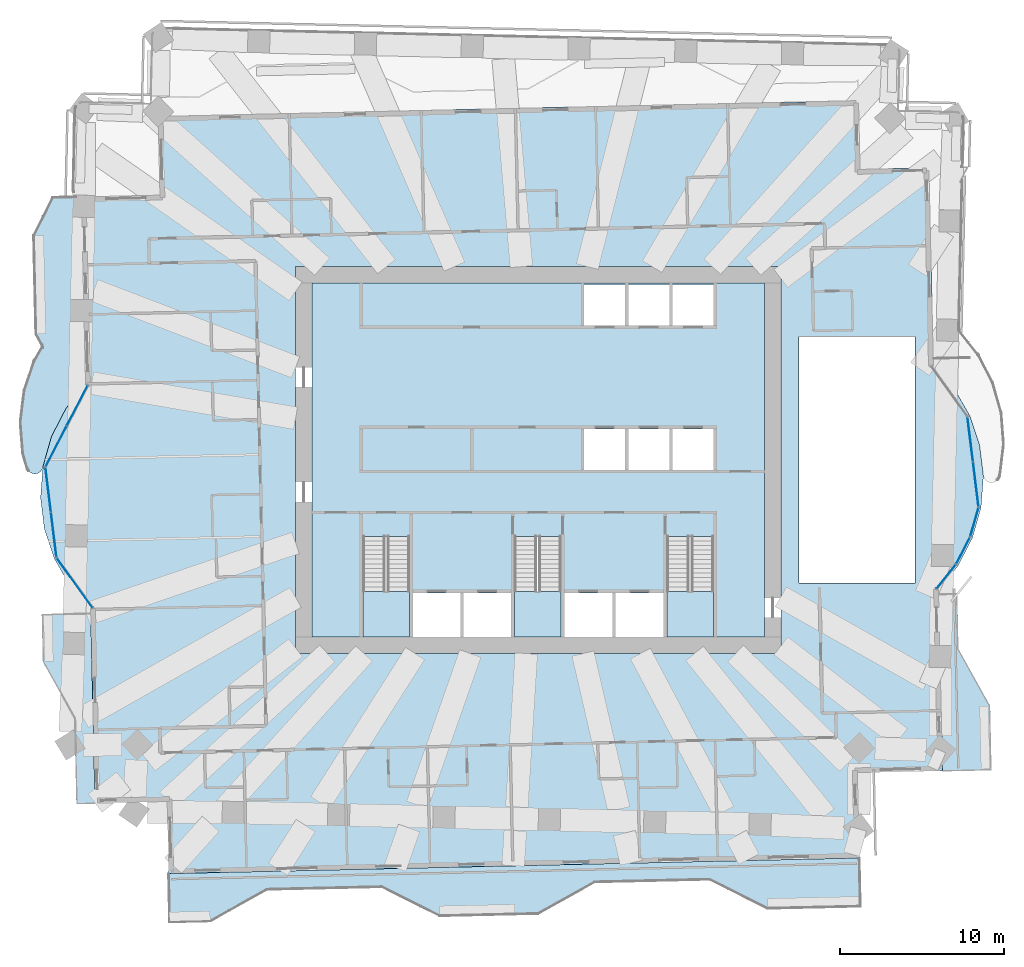
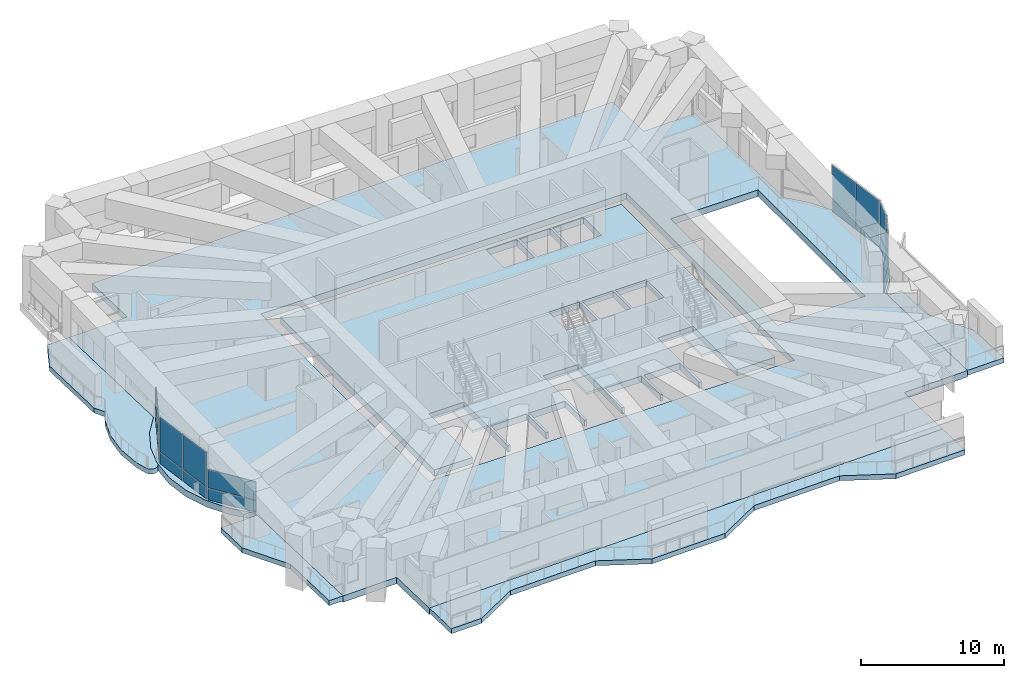
# One storey, part 8 of 21: 20 plates, 9 slabs, 10 elements without a shape of their own.
"""IFC4 building model written with IfcOpenShell, lengths in metres."""

from ifc_helpers import new_model, si_unit, direction, frame, origin, origin_2d, place, context, subcontext, project, spatial, polyline, rectangle, outline, extrude, material, layer, layer_set, type_object, element, aggregate, save


model = new_model("IFC4")

# Units and contexts
model_context = context("Model", 3, precision=1e-05, world=origin(), true_north=direction((0.0, 1.0)))
body_context = subcontext(model_context, "Body", "Model", "MODEL_VIEW")
ifc_project = project(units=[si_unit("LENGTHUNIT", "METRE"), si_unit("AREAUNIT", "SQUARE_METRE"), si_unit("VOLUMEUNIT", "CUBIC_METRE"), si_unit("PLANEANGLEUNIT", "RADIAN"), si_unit("MASSUNIT", "GRAM", prefix="KILO")], contexts=[model_context])

# Site, building, storey
site_placement = place(None, origin())
site = spatial("IfcSite", under=ifc_project, at=site_placement, CompositionType="ELEMENT")
building_placement = place(site_placement, origin())
building = spatial("IfcBuilding", under=site, at=building_placement, Name="Mangrove Gate Tower", CompositionType="ELEMENT")
storey_placement = place(building_placement, frame((0.0, 0.0, 125.5)))
storey = spatial("IfcBuildingStorey", under=building, at=storey_placement, Name="L31", CompositionType="ELEMENT", Elevation=125.5)

# Slabs
ifc_material_1 = material(Name="Porcelain tile")
ifc_layer_1 = layer(ifc_material_1, 0.02001953125, Name="Tile finish")
ifc_material_2 = material(Name="Cement sand screed")
ifc_layer_2 = layer(ifc_material_2, 0.0400390625, Name="Screed laid to falls")
ifc_material_3 = material(Name="Bituminous waterproofing membrane")
ifc_layer_3 = layer(ifc_material_3, 0.00390625, Name="Waterproofing")
ifc_material_4 = material(Name="Concrete C40/50", Category="concrete")
ifc_layer_4 = layer(ifc_material_4, 0.340087890625, Name="Balcony structural slab")
ifc_material_5 = material(Name="Limestone", Category="masonry")
ifc_layer_5 = layer(ifc_material_5, 0.01611328125, Name="Soffit lining")
ifc_layer_set_1 = layer_set([ifc_layer_1, ifc_layer_2, ifc_layer_3, ifc_layer_4, ifc_layer_5], Name="Balcony slab 420 C40/50")
slab_type_1 = type_object("IfcSlabType", Name="Balcony slab 420 C40/50", PredefinedType="FLOOR", material=ifc_layer_set_1)
slab_1_placement = place(storey_placement, frame((0.0, 0.0, -0.419921875)))
element("IfcSlab", 1, at=slab_1_placement, inside=storey, type_object=slab_type_1, Name="BALCONY L31 E0", PredefinedType="FLOOR", context=body_context, shape_type="SweptSolid", body=[
    extrude(outline(polyline([(27.660888671875, -18.89111328125), (27.572021484375, -14.991943359375), (25.64306640625, -11.533935546875), (25.56689453125, -8.160888671875), (24.427001953125, -8.18701171875), (24.50390625, -11.56005859375), (24.5830078125, -15.05908203125), (24.6708984375, -18.9580078125), (27.660888671875, -18.89111328125)])), origin(), (0.0, 0.0, 1.0), 0.419921875),
])
slab_2_placement = place(storey_placement, frame((0.0, 0.0, -0.419921875)))
element("IfcSlab", 2, at=slab_2_placement, inside=storey, type_object=slab_type_1, Name="BALCONY L31 W0", PredefinedType="FLOOR", context=body_context, shape_type="SweptSolid", body=[
    extrude(outline(polyline([(-30.680908203125, 7.693115234375), (-30.2490234375, 6.91796875), (-30.2470703125, 6.912109375), (-30.2490234375, 6.906982421875), (-30.2529296875, 6.903076171875), (-30.258056640625, 6.902099609375), (-30.262939453125, 6.903076171875), (-30.73193359375, 6.0869140625), (-30.7548828125, 6.0419921875), (-30.77294921875, 5.99609375), (-31.346923828125, 4.277099609375), (-31.360107421875, 4.22802734375), (-31.368896484375, 4.178955078125), (-31.590087890625, 2.381103515625), (-31.593994140625, 2.330078125), (-31.592041015625, 2.281005859375), (-31.452880859375, 0.47412109375), (-31.446044921875, 0.424072265625), (-31.43505859375, 0.375), (-31.194091796875, -0.472900390625), (-31.177978515625, -0.52001953125), (-31.157958984375, -0.56494140625), (-31.134033203125, -0.60693359375), (-31.10595703125, -0.64599609375), (-31.072998046875, -0.68408203125), (-31.0380859375, -0.717041015625), (-31.0, -0.7470703125), (-30.9580078125, -0.77294921875), (-30.9140625, -0.794921875), (-30.868896484375, -0.81201171875), (-30.822021484375, -0.824951171875), (-30.77392578125, -0.8330078125), (-30.72412109375, -0.8369140625), (-30.676025390625, -0.8359375), (-30.6279296875, -0.830078125), (-30.580078125, -0.819091796875), (-30.532958984375, -0.802978515625), (-30.488037109375, -0.783935546875), (-30.446044921875, -0.760009765625), (-30.406005859375, -0.73095703125), (-30.368896484375, -0.698974609375), (-30.3349609375, -0.6640625), (-30.304931640625, -0.6259765625), (-30.279052734375, -0.583984375), (-30.257080078125, -0.541015625), (-30.239013671875, -0.4951171875), (-30.22607421875, -0.447998046875), (-30.214111328125, -0.383056640625), (-29.694091796875, 1.444091796875), (-28.822998046875, 3.133056640625), (-28.81005859375, 3.154052734375), (-27.735107421875, 4.4951171875), (-27.7060546875, 4.534912109375), (-27.680908203125, 4.577880859375), (-27.659912109375, 4.623046875), (-27.64404296875, 4.669921875), (-27.633056640625, 4.719970703125), (-27.626953125, 4.76904296875), (-27.625, 4.819091796875), (-27.626953125, 4.866943359375), (-27.632080078125, 4.87109375), (-27.633056640625, 4.876953125), (-27.632080078125, 4.883056640625), (-27.626953125, 4.886962890625), (-27.881103515625, 16.05810546875), (-29.654052734375, 16.01806640625), (-30.818115234375, 13.69091796875), (-30.680908203125, 7.693115234375)])), origin(), (0.0, 0.0, 1.0), 0.419921875),
])
slab_3_placement = place(storey_placement, frame((0.0, 0.0, -0.419921875)))
element("IfcSlab", 3, at=slab_3_placement, inside=storey, type_object=slab_type_1, Name="BALCONY L31 W1", PredefinedType="FLOOR", context=body_context, shape_type="SweptSolid", body=[
    extrude(outline(polyline([(-30.29296875, -9.427978515625), (-30.22802734375, -12.302001953125), (-28.299072265625, -15.759033203125), (-28.180908203125, -20.9580078125), (-27.041015625, -20.931884765625), (-27.158935546875, -15.73291015625), (-27.238037109375, -12.23388671875), (-27.303955078125, -9.360107421875), (-30.29296875, -9.427978515625)])), origin(), (0.0, 0.0, 1.0), 0.419921875),
])
slab_4_placement = place(storey_placement, frame((0.0, 0.0, -0.419921875)))
element("IfcSlab", 4, at=slab_4_placement, inside=storey, type_object=slab_type_1, Name="BALCONY L31 S0", PredefinedType="FLOOR", context=body_context, shape_type="SweptSolid", body=[
    extrude(outline(polyline([(-22.47509765625, -28.219970703125), (-20.0029296875, -28.1640625), (-16.5458984375, -26.235107421875), (-9.548095703125, -26.076904296875), (-6.007080078125, -27.846923828125), (-1.407958984375, -27.741943359375), (-0.008056640625, -27.7109375), (3.448974609375, -25.781982421875), (10.447021484375, -25.6240234375), (13.988037109375, -27.39306640625), (19.658935546875, -27.263916015625), (19.591064453125, -24.27490234375), (-22.5419921875, -25.23095703125), (-22.47509765625, -28.219970703125)])), origin(), (0.0, 0.0, 1.0), 0.419921875),
])
ifc_material_6 = material(Name="Concrete C40/50", Category="concrete")
ifc_layer_6 = layer(ifc_material_6, 0.550048828125)
ifc_layer_set_2 = layer_set([ifc_layer_6], Name="Core floor slab 550 C40/50")
slab_type_2 = type_object("IfcSlabType", Name="Core floor slab 550 C40/50", PredefinedType="FLOOR", material=ifc_layer_set_2)
slab_5_placement = place(storey_placement, frame((0.0, 0.0, -0.550048828125)))
element("IfcSlab", 5, at=slab_5_placement, inside=storey, type_object=slab_type_2, Name="SLAB-L31-CORE-1", PredefinedType="FLOOR", context=body_context, shape_type="SweptSolid", body=[
    extrude(outline(polyline([(-13.800048828125, -10.800048828125), (-13.800048828125, 10.800048828125), (13.800048828125, 10.800048828125), (13.800048828125, -10.800048828125), (10.699951171875, -10.800048828125), (10.699951171875, -4.653076171875), (7.85009765625, -4.653076171875), (7.85009765625, -10.800048828125), (7.64990234375, -10.800048828125), (7.64990234375, -8.10009765625), (4.72509765625, -8.10009765625), (4.72509765625, -10.800048828125), (4.52490234375, -10.800048828125), (4.52490234375, -8.10009765625), (1.60009765625, -8.10009765625), (1.60009765625, -10.800048828125), (1.39990234375, -10.800048828125), (1.39990234375, -4.653076171875), (-1.449951171875, -4.653076171875), (-1.449951171875, -10.800048828125), (-1.64990234375, -10.800048828125), (-1.64990234375, -8.10009765625), (-4.550048828125, -8.10009765625), (-4.550048828125, -10.800048828125), (-4.75, -10.800048828125), (-4.75, -8.10009765625), (-7.64990234375, -8.10009765625), (-7.64990234375, -10.800048828125), (-7.85009765625, -10.800048828125), (-7.85009765625, -4.653076171875), (-10.699951171875, -4.653076171875), (-10.699951171875, -10.800048828125), (-13.800048828125, -10.800048828125)]), holes=[polyline([(5.300048828125, -0.60009765625), (5.300048828125, 1.89990234375), (2.800048828125, 1.89990234375), (2.800048828125, -0.60009765625), (5.300048828125, -0.60009765625)]), polyline([(5.300048828125, 10.699951171875), (2.800048828125, 10.699951171875), (2.800048828125, 8.199951171875), (5.300048828125, 8.199951171875), (5.300048828125, 10.699951171875)]), polyline([(8.0, -0.60009765625), (8.0, 1.89990234375), (5.5, 1.89990234375), (5.5, -0.60009765625), (8.0, -0.60009765625)]), polyline([(10.699951171875, -0.60009765625), (10.699951171875, 1.89990234375), (8.199951171875, 1.89990234375), (8.199951171875, -0.60009765625), (10.699951171875, -0.60009765625)]), polyline([(8.0, 8.199951171875), (8.0, 10.699951171875), (5.5, 10.699951171875), (5.5, 8.199951171875), (8.0, 8.199951171875)]), polyline([(10.699951171875, 8.199951171875), (10.699951171875, 10.699951171875), (8.199951171875, 10.699951171875), (8.199951171875, 8.199951171875), (10.699951171875, 8.199951171875)])]), origin(), (0.0, 0.0, 1.0), 0.550048828125),
])

# Stair, slab
ifc_material_7 = material(Name="Concrete C40/50", Category="concrete")
stair_type = type_object("IfcStairType", Name="Core stair 1350", PredefinedType="HALF_TURN_STAIR", material=ifc_material_7)
stair_1_placement = place(storey_placement, origin())
stair_1 = element("IfcStair", 6, at=stair_1_placement, inside=storey, type_object=stair_type, Name="L31 Stair 1", PredefinedType="HALF_TURN_STAIR")
ifc_material_8 = material(Name="Concrete C40/50", Category="concrete")
ifc_layer_7 = layer(ifc_material_8, 0.199951171875)
ifc_layer_set_3 = layer_set([ifc_layer_7], Name="Core stair landing 200")
slab_type_3 = type_object("IfcSlabType", Name="Core stair landing 200", PredefinedType="LANDING", material=ifc_layer_set_3)
slab_6_placement = place(storey_placement, frame((0.0, 0.0, 2.10009765625)))
slab_6 = element("IfcSlab", 7, at=slab_6_placement, type_object=slab_type_3, Name="ST1 landing 1", PredefinedType="LANDING", context=body_context, shape_type="SweptSolid", body=[
    extrude(outline(polyline([(-10.699951171875, -8.010009765625), (-10.699951171875, -10.800048828125), (-7.85009765625, -10.800048828125), (-7.85009765625, -8.010009765625), (-10.699951171875, -8.010009765625)])), origin(), (0.0, 0.0, 1.0), 0.199951171875),
])
aggregate(stair_1, [slab_6])

stair_2_placement = place(storey_placement, origin())
stair_2 = element("IfcStair", 8, at=stair_2_placement, inside=storey, type_object=stair_type, Name="L31 Stair 2", PredefinedType="HALF_TURN_STAIR")
slab_7_placement = place(storey_placement, frame((0.0, 0.0, 2.10009765625)))
slab_7 = element("IfcSlab", 9, at=slab_7_placement, type_object=slab_type_3, Name="ST2 landing 1", PredefinedType="LANDING", context=body_context, shape_type="SweptSolid", body=[
    extrude(outline(polyline([(-1.449951171875, -8.010009765625), (-1.449951171875, -10.800048828125), (1.39990234375, -10.800048828125), (1.39990234375, -8.010009765625), (-1.449951171875, -8.010009765625)])), origin(), (0.0, 0.0, 1.0), 0.199951171875),
])
aggregate(stair_2, [slab_7])

stair_3_placement = place(storey_placement, origin())
stair_3 = element("IfcStair", 10, at=stair_3_placement, inside=storey, type_object=stair_type, Name="L31 Stair 3", PredefinedType="HALF_TURN_STAIR")
slab_8_placement = place(storey_placement, frame((0.0, 0.0, 2.10009765625)))
slab_8 = element("IfcSlab", 11, at=slab_8_placement, type_object=slab_type_3, Name="ST3 landing 1", PredefinedType="LANDING", context=body_context, shape_type="SweptSolid", body=[
    extrude(outline(polyline([(7.85009765625, -8.010009765625), (7.85009765625, -10.800048828125), (10.699951171875, -10.800048828125), (10.699951171875, -8.010009765625), (7.85009765625, -8.010009765625)])), origin(), (0.0, 0.0, 1.0), 0.199951171875),
])
aggregate(stair_3, [slab_8])

# Slab
ifc_material_9 = material(Name="Concrete C40/50", Category="concrete")
ifc_layer_8 = layer(ifc_material_9, 0.550048828125)
ifc_layer_set_4 = layer_set([ifc_layer_8], Name="Floor slab 550 C40/50")
slab_type_4 = type_object("IfcSlabType", Name="Floor slab 550 C40/50", PredefinedType="FLOOR", material=ifc_layer_set_4)
slab_9_placement = place(storey_placement, frame((0.0, 0.0, -0.550048828125)))
element("IfcSlab", 12, at=slab_9_placement, inside=storey, type_object=slab_type_4, Name="Floor slab L31", PredefinedType="FLOOR", context=body_context, shape_type="SweptSolid", body=[
    extrude(outline(polyline([(-22.54248046875, -25.231201171875), (19.5908203125, -24.275146484375), (19.472900390625, -19.076416015625), (24.67138671875, -18.95849609375), (24.42138671875, -7.9365234375), (25.617919921875, -6.4443359375), (26.494873046875, -4.744384765625), (27.017333984375, -2.904296875), (27.16455078125, -0.997314453125), (26.930908203125, 0.901123046875), (26.325439453125, 2.715576171875), (25.372314453125, 4.3740234375), (24.109375, 5.810546875), (23.836669921875, 17.83203125), (19.6376953125, 17.73681640625), (19.542236328125, 21.935791015625), (-23.190673828125, 20.966064453125), (-23.081787109375, 16.167236328125), (-27.880615234375, 16.058349609375), (-27.621337890625, 4.636474609375), (-28.81787109375, 3.144287109375), (-29.69482421875, 1.4443359375), (-30.21728515625, -0.395751953125), (-30.364501953125, -2.302734375), (-30.130859375, -4.201171875), (-29.525390625, -6.015625), (-28.572265625, -7.674072265625), (-27.309326171875, -9.110595703125), (-27.041015625, -20.93212890625), (-22.642333984375, -20.832275390625), (-22.54248046875, -25.231201171875)]), holes=[polyline([(15.89990234375, 7.5), (22.9951171875, 7.5), (22.9951171875, -7.5), (15.89990234375, -7.5), (15.89990234375, 7.5)]), polyline([(-14.800048828125, -11.800048828125), (-14.800048828125, 11.800048828125), (14.800048828125, 11.800048828125), (14.800048828125, -11.800048828125), (-14.800048828125, -11.800048828125)])]), origin(), (0.0, 0.0, 1.0), 0.550048828125),
])

# Curtain wall, plates
ifc_material_10 = material(Name="Aluminium and glass curtain wall", Category="aluminium")
curtain_wall_type = type_object("IfcCurtainWallType", Name="Sky-lounge glazing wall", PredefinedType="NOTDEFINED", material=ifc_material_10)
curtain_wall_1_placement = place(storey_placement, origin())
curtain_wall_1 = element("IfcCurtainWall", 13, at=curtain_wall_1_placement, inside=storey, type_object=curtain_wall_type, Name="Sky-lounge glazing E1f1", PredefinedType="NOTDEFINED")
ifc_material_11 = material(Name="Laminated low-e glass", Category="glass")
ifc_layer_9 = layer(ifc_material_11, 0.030029296875)
ifc_layer_set_5 = layer_set([ifc_layer_9], Name="Sky-lounge glazing panel 30")
plate_type = type_object("IfcPlateType", Name="Sky-lounge glazing panel 30", PredefinedType="CURTAIN_PANEL", material=ifc_layer_set_5)
plate_1_placement = place(storey_placement, frame((24.880859375, -7.123779296875, 0.0), z_axis=(0.0, 0.0, 1.0), x_axis=(0.625547939332, 0.780185731475, 0.0)))
plate_1 = element("IfcPlate", 14, at=plate_1_placement, type_object=plate_type, Name="CWK panel 1.1", PredefinedType="CURTAIN_PANEL", context=body_context, shape_type="SweptSolid", body=[
    extrude(rectangle(XDim=1.832275390625, YDim=0.030029296875, at=origin_2d()), origin(), (0.0, 0.0, 1.0), 0.969970703125),
])
plate_2_placement = place(storey_placement, frame((24.880859375, -7.123779296875, 1.030029296875), z_axis=(0.0, 0.0, 1.0), x_axis=(0.625547939332, 0.780185731475, 0.0)))
plate_2 = element("IfcPlate", 15, at=plate_2_placement, type_object=plate_type, Name="CWK panel 1.2", PredefinedType="CURTAIN_PANEL", context=body_context, shape_type="SweptSolid", body=[
    extrude(rectangle(XDim=1.832275390625, YDim=0.030029296875, at=origin_2d()), origin(), (0.0, 0.0, 1.0), 1.56005859375),
])
aggregate(curtain_wall_1, [plate_1, plate_2])

curtain_wall_2_placement = place(storey_placement, origin())
curtain_wall_2 = element("IfcCurtainWall", 16, at=curtain_wall_2_placement, inside=storey, type_object=curtain_wall_type, Name="Sky-lounge glazing E1f2", PredefinedType="NOTDEFINED")
plate_3_placement = place(storey_placement, frame((25.923095703125, -5.525634765625, 0.0), z_axis=(0.0, 0.0, 1.0), x_axis=(0.458454747307, 0.888717753098, 0.0)))
plate_3 = element("IfcPlate", 17, at=plate_3_placement, type_object=plate_type, Name="CWK panel 1.1", PredefinedType="CURTAIN_PANEL", context=body_context, shape_type="SweptSolid", body=[
    extrude(rectangle(XDim=1.7626953125, YDim=0.030029296875, at=origin_2d()), origin(), (0.0, 0.0, 1.0), 0.969970703125),
])
plate_4_placement = place(storey_placement, frame((25.923095703125, -5.525634765625, 1.030029296875), z_axis=(0.0, 0.0, 1.0), x_axis=(0.458454747307, 0.888717753098, 0.0)))
plate_4 = element("IfcPlate", 18, at=plate_4_placement, type_object=plate_type, Name="CWK panel 1.2", PredefinedType="CURTAIN_PANEL", context=body_context, shape_type="SweptSolid", body=[
    extrude(rectangle(XDim=1.7626953125, YDim=0.030029296875, at=origin_2d()), origin(), (0.0, 0.0, 1.0), 2.9599609375),
])
aggregate(curtain_wall_2, [plate_3, plate_4])

curtain_wall_3_placement = place(storey_placement, origin())
curtain_wall_3 = element("IfcCurtainWall", 19, at=curtain_wall_3_placement, inside=storey, type_object=curtain_wall_type, Name="Sky-lounge glazing E1f3", PredefinedType="NOTDEFINED")
plate_5_placement = place(storey_placement, frame((26.61181640625, -3.783447265625, 0.0), z_axis=(0.0, 0.0, 1.0), x_axis=(0.273161206695, 0.961968271388, 0.0)))
plate_5 = element("IfcPlate", 20, at=plate_5_placement, type_object=plate_type, Name="CWK panel 1.1", PredefinedType="CURTAIN_PANEL", context=body_context, shape_type="SweptSolid", body=[
    extrude(rectangle(XDim=1.7626953125, YDim=0.030029296875, at=origin_2d()), origin(), (0.0, 0.0, 1.0), 0.969970703125),
])
plate_6_placement = place(storey_placement, frame((26.61181640625, -3.783447265625, 1.030029296875), z_axis=(0.0, 0.0, 1.0), x_axis=(0.273161206695, 0.961968271388, 0.0)))
plate_6 = element("IfcPlate", 21, at=plate_6_placement, type_object=plate_type, Name="CWK panel 1.2", PredefinedType="CURTAIN_PANEL", context=body_context, shape_type="SweptSolid", body=[
    extrude(rectangle(XDim=1.7626953125, YDim=0.030029296875, at=origin_2d()), origin(), (0.0, 0.0, 1.0), 2.9599609375),
])
aggregate(curtain_wall_3, [plate_5, plate_6])

curtain_wall_4_placement = place(storey_placement, origin())
curtain_wall_4 = element("IfcCurtainWall", 22, at=curtain_wall_4_placement, inside=storey, type_object=curtain_wall_type, Name="Sky-lounge glazing E1f4", PredefinedType="NOTDEFINED")
plate_7_placement = place(storey_placement, frame((26.69677734375, -1.47998046875, 0.0), z_axis=(0.0, 0.0, 1.0), x_axis=(-0.122172285885, 0.992508908051, 0.0)))
plate_7 = element("IfcPlate", 23, at=plate_7_placement, type_object=plate_type, Name="CWK panel 1.1", PredefinedType="CURTAIN_PANEL", context=body_context, shape_type="SweptSolid", body=[
    extrude(rectangle(XDim=2.69677734375, YDim=0.030029296875, at=origin_2d()), origin(), (0.0, 0.0, 1.0), 0.969970703125),
])
plate_8_placement = place(storey_placement, frame((26.69677734375, -1.47998046875, 1.030029296875), z_axis=(0.0, 0.0, 1.0), x_axis=(-0.122172285885, 0.992508908051, 0.0)))
plate_8 = element("IfcPlate", 24, at=plate_8_placement, type_object=plate_type, Name="CWK panel 1.2", PredefinedType="CURTAIN_PANEL", context=body_context, shape_type="SweptSolid", body=[
    extrude(rectangle(XDim=2.69677734375, YDim=0.030029296875, at=origin_2d()), origin(), (0.0, 0.0, 1.0), 2.9599609375),
])
plate_9_placement = place(storey_placement, frame((26.360107421875, 1.256103515625, 0.0), z_axis=(0.0, 0.0, 1.0), x_axis=(-0.122172285885, 0.992508908051, 0.0)))
plate_9 = element("IfcPlate", 25, at=plate_9_placement, type_object=plate_type, Name="CWK panel 2.1", PredefinedType="CURTAIN_PANEL", context=body_context, shape_type="SweptSolid", body=[
    extrude(rectangle(XDim=2.69677734375, YDim=0.030029296875, at=origin_2d()), origin(), (0.0, 0.0, 1.0), 0.969970703125),
])
plate_10_placement = place(storey_placement, frame((26.360107421875, 1.256103515625, 1.030029296875), z_axis=(0.0, 0.0, 1.0), x_axis=(-0.122172285885, 0.992508908051, 0.0)))
plate_10 = element("IfcPlate", 26, at=plate_10_placement, type_object=plate_type, Name="CWK panel 2.2", PredefinedType="CURTAIN_PANEL", context=body_context, shape_type="SweptSolid", body=[
    extrude(rectangle(XDim=2.69677734375, YDim=0.030029296875, at=origin_2d()), origin(), (0.0, 0.0, 1.0), 2.9599609375),
])
aggregate(curtain_wall_4, [plate_7, plate_8, plate_9, plate_10])

curtain_wall_5_placement = place(storey_placement, origin())
curtain_wall_5 = element("IfcCurtainWall", 27, at=curtain_wall_5_placement, inside=storey, type_object=curtain_wall_type, Name="Sky-lounge glazing W9f1", PredefinedType="NOTDEFINED")
plate_11_placement = place(storey_placement, frame((-28.126708984375, 3.320068359375, 0.0), z_axis=(0.0, 0.0, 1.0), x_axis=(-0.460628472466, -0.887593043209, 0.0)))
plate_11 = element("IfcPlate", 28, at=plate_11_placement, type_object=plate_type, Name="CWK panel 1.1", PredefinedType="CURTAIN_PANEL", context=body_context, shape_type="SweptSolid", body=[
    extrude(rectangle(XDim=2.73095703125, YDim=0.030029296875, at=origin_2d()), origin(), (0.0, 0.0, 1.0), 0.969970703125),
])
plate_12_placement = place(storey_placement, frame((-28.126708984375, 3.320068359375, 1.030029296875), z_axis=(0.0, 0.0, 1.0), x_axis=(-0.460628472466, -0.887593043209, 0.0)))
plate_12 = element("IfcPlate", 29, at=plate_12_placement, type_object=plate_type, Name="CWK panel 1.2", PredefinedType="CURTAIN_PANEL", context=body_context, shape_type="SweptSolid", body=[
    extrude(rectangle(XDim=2.73095703125, YDim=0.030029296875, at=origin_2d()), origin(), (0.0, 0.0, 1.0), 1.56005859375),
])
plate_13_placement = place(storey_placement, frame((-29.412353515625, 0.843017578125, 0.0), z_axis=(0.0, 0.0, 1.0), x_axis=(-0.460628472466, -0.887593043209, 0.0)))
plate_13 = element("IfcPlate", 30, at=plate_13_placement, type_object=plate_type, Name="CWK panel 2.1", PredefinedType="CURTAIN_PANEL", context=body_context, shape_type="SweptSolid", body=[
    extrude(rectangle(XDim=2.73095703125, YDim=0.030029296875, at=origin_2d()), origin(), (0.0, 0.0, 1.0), 0.969970703125),
])
plate_14_placement = place(storey_placement, frame((-29.412353515625, 0.843017578125, 1.030029296875), z_axis=(0.0, 0.0, 1.0), x_axis=(-0.460628472466, -0.887593043209, 0.0)))
plate_14 = element("IfcPlate", 31, at=plate_14_placement, type_object=plate_type, Name="CWK panel 2.2", PredefinedType="CURTAIN_PANEL", context=body_context, shape_type="SweptSolid", body=[
    extrude(rectangle(XDim=2.73095703125, YDim=0.030029296875, at=origin_2d()), origin(), (0.0, 0.0, 1.0), 1.56005859375),
])
aggregate(curtain_wall_5, [plate_11, plate_12, plate_13, plate_14])

curtain_wall_6_placement = place(storey_placement, origin())
curtain_wall_6 = element("IfcCurtainWall", 32, at=curtain_wall_6_placement, inside=storey, type_object=curtain_wall_type, Name="Sky-lounge glazing W9f2", PredefinedType="NOTDEFINED")
plate_15_placement = place(storey_placement, frame((-29.896728515625, -1.820068359375, 0.0), z_axis=(0.0, 0.0, 1.0), x_axis=(0.122172285885, -0.992508908051, 0.0)))
plate_15 = element("IfcPlate", 33, at=plate_15_placement, type_object=plate_type, Name="CWK panel 1.1", PredefinedType="CURTAIN_PANEL", context=body_context, shape_type="SweptSolid", body=[
    extrude(rectangle(XDim=2.69677734375, YDim=0.030029296875, at=origin_2d()), origin(), (0.0, 0.0, 1.0), 0.969970703125),
])
plate_16_placement = place(storey_placement, frame((-29.896728515625, -1.820068359375, 1.030029296875), z_axis=(0.0, 0.0, 1.0), x_axis=(0.122172285885, -0.992508908051, 0.0)))
plate_16 = element("IfcPlate", 34, at=plate_16_placement, type_object=plate_type, Name="CWK panel 1.2", PredefinedType="CURTAIN_PANEL", context=body_context, shape_type="SweptSolid", body=[
    extrude(rectangle(XDim=2.69677734375, YDim=0.030029296875, at=origin_2d()), origin(), (0.0, 0.0, 1.0), 2.9599609375),
])
plate_17_placement = place(storey_placement, frame((-29.56005859375, -4.55615234375, 0.0), z_axis=(0.0, 0.0, 1.0), x_axis=(0.122172285885, -0.992508908051, 0.0)))
plate_17 = element("IfcPlate", 35, at=plate_17_placement, type_object=plate_type, Name="CWK panel 2.1", PredefinedType="CURTAIN_PANEL", context=body_context, shape_type="SweptSolid", body=[
    extrude(rectangle(XDim=2.69677734375, YDim=0.030029296875, at=origin_2d()), origin(), (0.0, 0.0, 1.0), 0.969970703125),
])
plate_18_placement = place(storey_placement, frame((-29.56005859375, -4.55615234375, 1.030029296875), z_axis=(0.0, 0.0, 1.0), x_axis=(0.122172285885, -0.992508908051, 0.0)))
plate_18 = element("IfcPlate", 36, at=plate_18_placement, type_object=plate_type, Name="CWK panel 2.2", PredefinedType="CURTAIN_PANEL", context=body_context, shape_type="SweptSolid", body=[
    extrude(rectangle(XDim=2.69677734375, YDim=0.030029296875, at=origin_2d()), origin(), (0.0, 0.0, 1.0), 2.9599609375),
])
aggregate(curtain_wall_6, [plate_15, plate_16, plate_17, plate_18])

curtain_wall_7_placement = place(storey_placement, origin())
curtain_wall_7 = element("IfcCurtainWall", 37, at=curtain_wall_7_placement, inside=storey, type_object=curtain_wall_type, Name="Sky-lounge glazing W9f3", PredefinedType="NOTDEFINED")
plate_19_placement = place(storey_placement, frame((-28.274169921875, -7.503173828125, 0.0), z_axis=(0.0, 0.0, 1.0), x_axis=(0.583670260949, -0.811990779802, 0.0)))
plate_19 = element("IfcPlate", 38, at=plate_19_placement, type_object=plate_type, Name="CWK panel 1.1", PredefinedType="CURTAIN_PANEL", context=body_context, shape_type="SweptSolid", body=[
    extrude(rectangle(XDim=3.696044921875, YDim=0.030029296875, at=origin_2d()), origin(), (0.0, 0.0, 1.0), 0.969970703125),
])
plate_20_placement = place(storey_placement, frame((-28.274169921875, -7.503173828125, 1.030029296875), z_axis=(0.0, 0.0, 1.0), x_axis=(0.583670260949, -0.811990779802, 0.0)))
plate_20 = element("IfcPlate", 39, at=plate_20_placement, type_object=plate_type, Name="CWK panel 1.2", PredefinedType="CURTAIN_PANEL", context=body_context, shape_type="SweptSolid", body=[
    extrude(rectangle(XDim=3.696044921875, YDim=0.030029296875, at=origin_2d()), origin(), (0.0, 0.0, 1.0), 1.56005859375),
])
aggregate(curtain_wall_7, [plate_19, plate_20])

save(model, "model.ifc")
